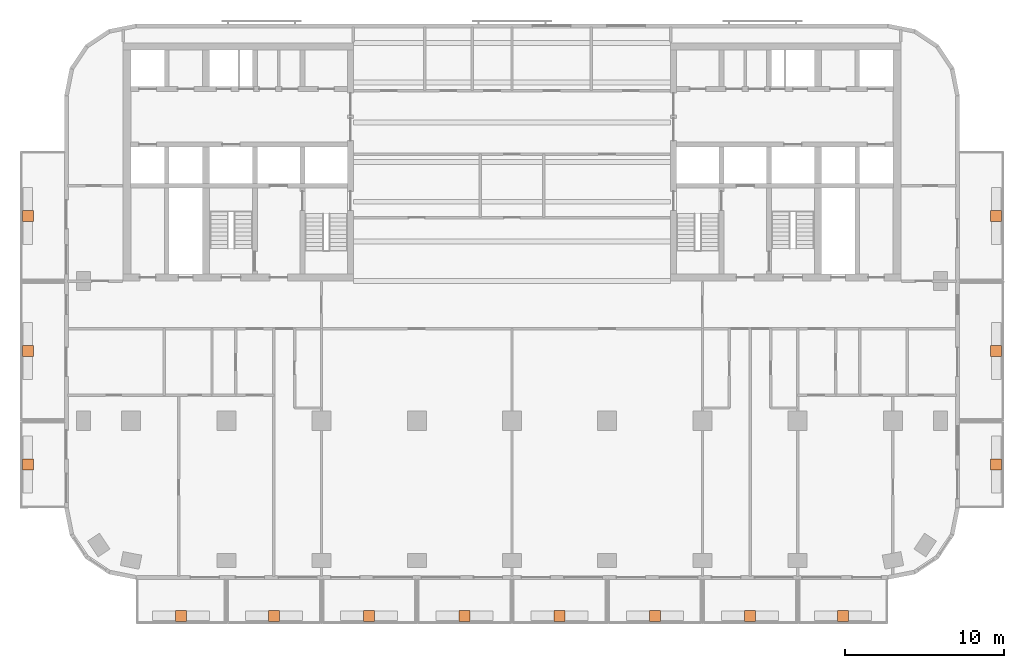
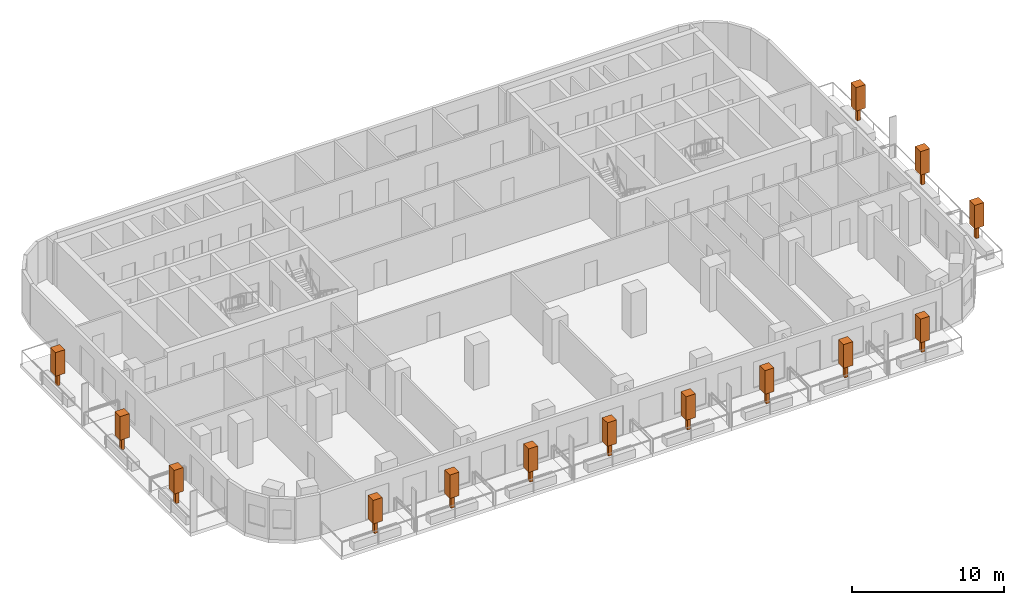
# One storey, part 11 of 11: 14 geographic elements.
"""IFC4 building model written with IfcOpenShell, lengths in metres."""

import ifcopenshell
import ifcopenshell.guid

model = None  # the IFC model being written
_history = None  # IfcOwnerHistory: only IFC2X3 demands one
_inside = {}  # id of a spatial element -> (the spatial element, [elements in it])
_under = {}  # id of a project, library or spatial element -> (it, [spatial elements below it])
_declared = {}  # id of a project -> (the project, [libraries it declares])
_typed = {}  # id of a type object -> (the type object, [elements of that type])
_made_of = {}  # id of a material, layer set ... -> (it, [elements and type objects made of it])


def new_model(schema):
    """Start an empty IFC model of exactly this schema.

    Asked for "IFC4X3", IfcOpenShell would pick the latest addendum, in which some entities
    have other attributes; the version numbers below select the first issue.
    IFC2X3 requires an IfcOwnerHistory on every rooted entity: one is made here for all.
    """
    global model, _history
    if schema == "IFC4X3":
        model = ifcopenshell.file(schema_version=(4, 3, 0, 0))
    else:
        model = ifcopenshell.file(schema=schema)
    _inside.clear()
    _under.clear()
    _declared.clear()
    _typed.clear()
    _made_of.clear()
    _history = None
    if model.schema == "IFC2X3":
        org = make("IfcOrganization", Name="unknown")
        user = make(
            "IfcPersonAndOrganization",
            ThePerson=make("IfcPerson", FamilyName="unknown"),
            TheOrganization=org,
        )
        app = make(
            "IfcApplication",
            ApplicationDeveloper=org,
            Version="unknown",
            ApplicationFullName="unknown",
            ApplicationIdentifier="unknown",
        )
        _history = make(
            "IfcOwnerHistory",
            OwningUser=user,
            OwningApplication=app,
            ChangeAction="ADDED",
            CreationDate=0,
        )
    return model


def make(cls, **values):
    """One entity of the class cls with the attributes given. An attribute that is None is left unset."""
    return model.create_entity(
        cls, **{name: value for name, value in values.items() if value is not None}
    )


def rooted(cls, **values):
    """An entity with a GlobalId (a new one), such as an element, a storey or a relation."""
    return make(cls, GlobalId=ifcopenshell.guid.new(), OwnerHistory=_history, **values)


def si_unit(unit_type, name, prefix=None):
    """IfcSIUnit, for example si_unit("LENGTHUNIT", "METRE", prefix="MILLI")."""
    return make("IfcSIUnit", UnitType=unit_type, Prefix=prefix, Name=name)


def assignment(units):
    """IfcUnitAssignment: the units of a project."""
    return None if units is None else make("IfcUnitAssignment", Units=units)


def point(xyz):
    """IfcCartesianPoint."""
    return None if xyz is None else make("IfcCartesianPoint", Coordinates=xyz)


def direction(xyz):
    """IfcDirection."""
    return None if xyz is None else make("IfcDirection", DirectionRatios=xyz)


def frame(location, z_axis=None, x_axis=None):
    """IfcAxis2Placement3D, a coordinate frame: its origin and axes. An axis left out is left unset."""
    return make(
        "IfcAxis2Placement3D",
        Location=point(location),
        Axis=direction(z_axis),
        RefDirection=direction(x_axis),
    )


def frame_2d(location, x_axis=None):
    """IfcAxis2Placement2D, a coordinate frame in the plane: its origin and x axis."""
    return make(
        "IfcAxis2Placement2D", Location=point(location), RefDirection=direction(x_axis)
    )


def origin():
    """The frame at (0, 0, 0) with its axes left unset."""
    return frame((0.0, 0.0, 0.0))


def origin_2d():
    """The frame at (0, 0) in the plane with its x axis left unset."""
    return frame_2d((0.0, 0.0))


def place(relative_to, where):
    """IfcLocalPlacement: puts the frame where relative to a parent placement (None: the world)."""
    return make(
        "IfcLocalPlacement", PlacementRelTo=relative_to, RelativePlacement=where
    )


def context(
    kind, dimensions, precision=None, world=None, true_north=None, identifier=None
):
    """IfcGeometricRepresentationContext, for example the 3D "Model" context."""
    return make(
        "IfcGeometricRepresentationContext",
        ContextIdentifier=identifier,
        ContextType=kind,
        CoordinateSpaceDimension=dimensions,
        Precision=precision,
        WorldCoordinateSystem=world,
        TrueNorth=true_north,
    )


def subcontext(parent, identifier, kind, view, scale=None):
    """IfcGeometricRepresentationSubContext, for example "Body" below "Model"."""
    return make(
        "IfcGeometricRepresentationSubContext",
        ContextIdentifier=identifier,
        ContextType=kind,
        ParentContext=parent,
        TargetScale=scale,
        TargetView=view,
    )


def project(units=None, contexts=None):
    """IfcProject with its units and contexts."""
    return rooted(
        "IfcProject",
        Name="project",
        RepresentationContexts=contexts,
        UnitsInContext=assignment(units),
    )


def spatial(cls, under=None, at=None, **own):
    """A site, building, storey or space (cls), placed at a placement, below another one or the project."""
    s = rooted(cls, ObjectPlacement=at, **own)
    if under is not None:
        _under.setdefault(under.id(), (under, []))[1].append(s)
    return s


def profile(cls, at=None, kind="AREA", **sizes):
    """A parametric profile (cls). Its sizes go by their IFC names, for example OverallWidth=200.0."""
    return make(cls, ProfileType=kind, Position=at, **sizes)


def rectangle(**sizes):
    """IfcRectangleProfileDef."""
    return profile("IfcRectangleProfileDef", **sizes)


def extrude(swept, where, along, depth):
    """IfcExtrudedAreaSolid: the profile swept, set in the frame where, extruded along a direction by depth."""
    return make(
        "IfcExtrudedAreaSolid",
        SweptArea=swept,
        Position=where,
        ExtrudedDirection=direction(along),
        Depth=depth,
    )


def shape(context_of_items, identifier, shape_type, items):
    """IfcShapeRepresentation: the items that make up one representation, for example the "Body"."""
    return make(
        "IfcShapeRepresentation",
        ContextOfItems=context_of_items,
        RepresentationIdentifier=identifier,
        RepresentationType=shape_type,
        Items=items,
    )


def material(Name=None, Category=None):
    """IfcMaterial."""
    return make("IfcMaterial", Name=Name, Category=Category)


def made_of(thing, what):
    """Note that an element or type object is made of a material, layer set ...; save() writes the relation."""
    if what is not None:
        _made_of.setdefault(what.id(), (what, []))[1].append(thing)
    return thing


def element(
    cls,
    number,
    at=None,
    inside=None,
    cuts=None,
    type_object=None,
    material=None,
    context=None,
    identifier="Body",
    shape_type=None,
    held_by="IfcProductDefinitionShape",
    body=None,
    shapes=None,
    **own,
):
    """One element of the class cls, such as IfcWall. Its Tag is "e" and its number.

    at: its placement. inside: the storey or other place that contains it. cuts: it is an
    opening in that element (IfcRelVoidsElement). A single representation is given by context,
    identifier, shape_type and body (its items); several are given by shapes. held_by: the class
    of the entity that holds the representations. save() writes the other relations.
    """
    e = rooted(cls, Tag="e%d" % number, ObjectPlacement=at, **own)
    if body is not None:
        shapes = [shape(context, identifier, shape_type, body)]
    if shapes is not None:
        e.Representation = make(held_by, Representations=shapes)
    if inside is not None:
        _inside.setdefault(inside.id(), (inside, []))[1].append(e)
    if cuts is not None:
        rooted(
            "IfcRelVoidsElement", RelatingBuildingElement=cuts, RelatedOpeningElement=e
        )
    if type_object is not None:
        _typed.setdefault(type_object.id(), (type_object, []))[1].append(e)
    return made_of(e, material)


def aggregate(whole, parts):
    """IfcRelAggregates: a whole, such as a stair, and the parts it consists of."""
    return rooted("IfcRelAggregates", RelatingObject=whole, RelatedObjects=parts)


def save(model, path):
    """Write the relations noted so far, then the file.

    IfcRelAggregates (storeys below a building ...), IfcRelContainedInSpatialStructure (elements
    in a storey), IfcRelDefinesByType, IfcRelAssociatesMaterial and IfcRelDeclares: one each for
    every whole, place, type object, material and project.
    """
    for whole, parts in _under.values():
        aggregate(whole, parts)
    for where, things in _inside.values():
        rooted(
            "IfcRelContainedInSpatialStructure",
            RelatedElements=things,
            RelatingStructure=where,
        )
    for kind, things in _typed.values():
        rooted("IfcRelDefinesByType", RelatedObjects=things, RelatingType=kind)
    for what, things in _made_of.values():
        rooted("IfcRelAssociatesMaterial", RelatedObjects=things, RelatingMaterial=what)
    for by, libraries in _declared.values():
        rooted("IfcRelDeclares", RelatingContext=by, RelatedDefinitions=libraries)
    model.write(path)


model = new_model("IFC4")

# Units and contexts
model_context = context("Model", 3, precision=1e-05, world=origin(), true_north=direction((0.0, 1.0)))
body_context = subcontext(model_context, "Body", "Model", "MODEL_VIEW")
ifc_project = project(units=[si_unit("LENGTHUNIT", "METRE"), si_unit("AREAUNIT", "SQUARE_METRE"), si_unit("VOLUMEUNIT", "CUBIC_METRE"), si_unit("PLANEANGLEUNIT", "RADIAN"), si_unit("MASSUNIT", "GRAM", prefix="KILO")], contexts=[model_context])

# Site, building, storey
site_placement = place(None, origin())
site = spatial("IfcSite", under=ifc_project, at=site_placement, CompositionType="ELEMENT")
building_placement = place(site_placement, origin())
building = spatial("IfcBuilding", under=site, at=building_placement, Name="Torana Hotel and Residences", CompositionType="ELEMENT")
storey_placement = place(building_placement, frame((0.0, 0.0, 123.60009765625)))
storey = spatial("IfcBuildingStorey", under=building, at=storey_placement, Name="L31", CompositionType="ELEMENT", Elevation=123.60009765625)

# Geographic elements
ifc_material = material(Name="Foliage", Category="planting")
for number, where, z_axis, x_axis, name in (
    (1, (-20.85009765625, -36.10009765625, 0.64990234375), (0.0, 0.0, 1.0), (1.0, 0.0, 0.0), "Tree 01"),
    (2, (-15.0, -36.10009765625, 0.64990234375), (0.0, 0.0, 1.0), (1.0, 0.0, 0.0), "Tree 02"),
    (3, (-9.0, -36.10009765625, 0.64990234375), (0.0, 0.0, 1.0), (1.0, 0.0, 0.0), "Tree 03"),
    (4, (-3.0, -36.10009765625, 0.64990234375), (0.0, 0.0, 1.0), (1.0, 0.0, 0.0), "Tree 04"),
    (5, (3.0, -36.10009765625, 0.64990234375), (0.0, 0.0, 1.0), (1.0, 0.0, 0.0), "Tree 05"),
    (6, (9.0, -36.10009765625, 0.64990234375), (0.0, 0.0, 1.0), (1.0, 0.0, 0.0), "Tree 06"),
    (7, (15.0, -36.10009765625, 0.64990234375), (0.0, 0.0, 1.0), (1.0, 0.0, 0.0), "Tree 07"),
    (8, (20.85009765625, -36.10009765625, 0.64990234375), (0.0, 0.0, 1.0), (1.0, 0.0, 0.0), "Tree 08"),
    (9, (-30.5, -26.550048828125, 0.64990234375), (0.0, 0.0, 1.0), (1.0, 0.0, 0.0), "Tree 09"),
    (10, (-30.5, -19.39990234375, 0.64990234375), (0.0, 0.0, 1.0), (1.0, 0.0, 0.0), "Tree 10"),
    (11, (-30.5, -10.89990234375, 0.64990234375), (0.0, 0.0, 1.0), (1.0, 0.0, 0.0), "Tree 11"),
    (12, (30.5, -26.550048828125, 0.64990234375), (0.0, 0.0, 1.0), (1.0, 0.0, 0.0), "Tree 12"),
    (13, (30.5, -19.39990234375, 0.64990234375), (0.0, 0.0, 1.0), (1.0, 0.0, 0.0), "Tree 13"),
    (14, (30.5, -10.89990234375, 0.64990234375), (0.0, 0.0, 1.0), (1.0, 0.0, 0.0), "Tree 14"),
):
    element("IfcGeographicElement", number, at=place(storey_placement, frame(where, z_axis=z_axis, x_axis=x_axis)), inside=storey, material=ifc_material, Name=name, ObjectType="TREE", PredefinedType="USERDEFINED", context=body_context, shape_type="SweptSolid", body=[
        extrude(rectangle(XDim=0.25, YDim=0.25, at=origin_2d()), origin(), (0.0, 0.0, 1.0), 1.0),
        extrude(rectangle(XDim=0.699951171875, YDim=0.699951171875, at=origin_2d()), frame((0.0, 0.0, 1.0)), (0.0, 0.0, 1.0), 1.89990234375),
    ])

save(model, "model.ifc")
